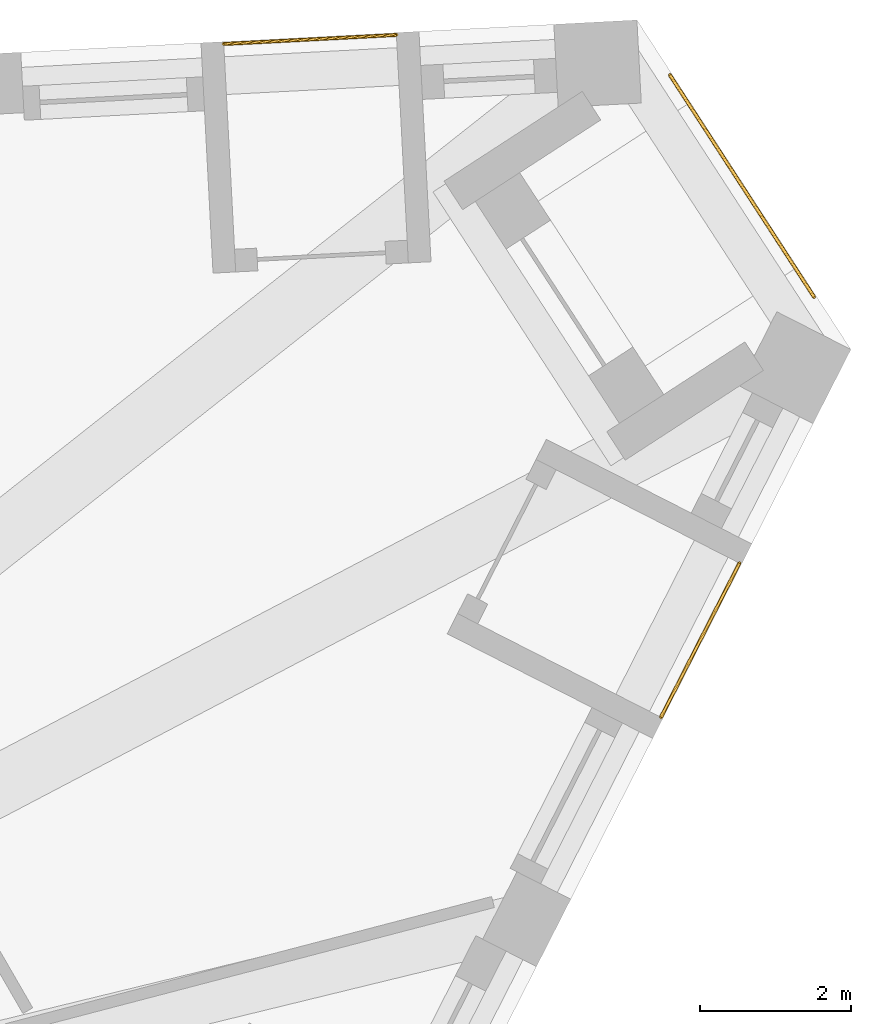
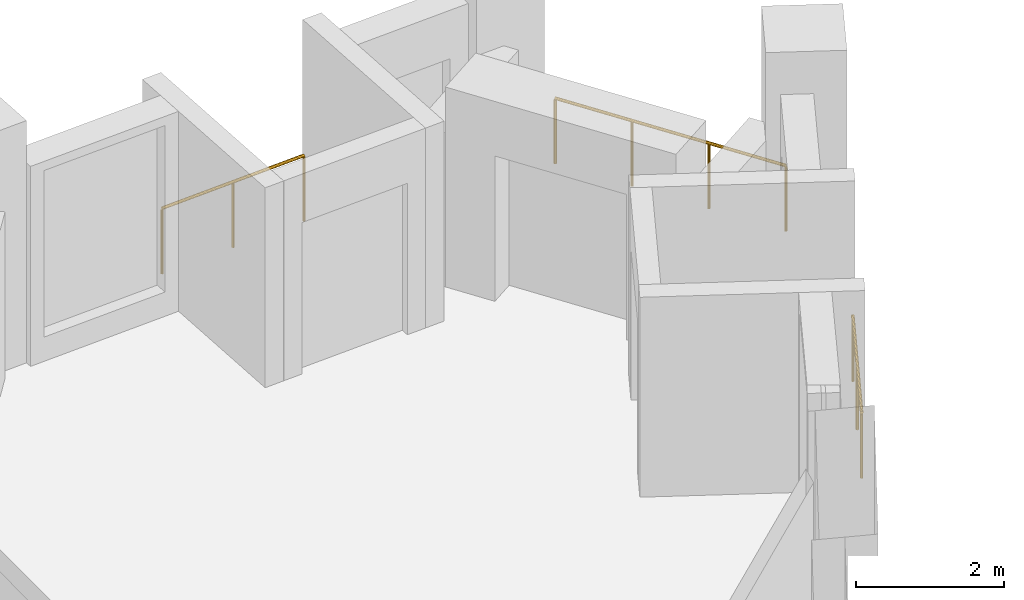
# One storey, part 12 of 12: 3 railings.
"""IFC4 building model written with IfcOpenShell, lengths in metres."""

from ifc_helpers import new_model, si_unit, direction, frame, origin, origin_2d, place, context, subcontext, project, spatial, circle, extrude, material, type_object, element, save


model = new_model("IFC4")

# Units and contexts
model_context = context("Model", 3, precision=1e-05, world=origin(), true_north=direction((0.0, 1.0)))
body_context = subcontext(model_context, "Body", "Model", "MODEL_VIEW")
ifc_project = project(units=[si_unit("LENGTHUNIT", "METRE"), si_unit("AREAUNIT", "SQUARE_METRE"), si_unit("VOLUMEUNIT", "CUBIC_METRE"), si_unit("PLANEANGLEUNIT", "RADIAN"), si_unit("MASSUNIT", "GRAM", prefix="KILO")], contexts=[model_context])

# Site, building, storey
site_placement = place(None, origin())
site = spatial("IfcSite", under=ifc_project, at=site_placement, CompositionType="ELEMENT")
building_placement = place(site_placement, origin())
building = spatial("IfcBuilding", under=site, at=building_placement, Name="Tramontana Tower", CompositionType="ELEMENT")
storey_placement = place(building_placement, frame((0.0, 0.0, 282.39990234375)))
storey = spatial("IfcBuildingStorey", under=building, at=storey_placement, Name="L66", CompositionType="ELEMENT", Elevation=282.39990234375)

# Railings
ifc_material = material(Name="Laminated glass balustrade", Category="glass")
railing_type = type_object("IfcRailingType", Name="GD1 Loggia glass balustrade 1100", PredefinedType="BALUSTRADE", material=ifc_material)
railing_1_placement = place(storey_placement, frame((21.128173828125, 7.390625, 0.0)))
element("IfcRailing", 1, at=railing_1_placement, inside=storey, type_object=railing_type, Name="Loggia balustrade L66 G7S1.13", PredefinedType="BALUSTRADE", context=body_context, shape_type="SweptSolid", body=[
    extrude(circle(Radius=0.02392578125, at=origin_2d()), frame((0.0, 0.0, 1.076171875), z_axis=(0.453948171533, 0.89102809022, 0.0), x_axis=(-0.89102809022, 0.453948171533, 0.0)), (0.0, 0.0, 1.0), 2.286865234375),
    extrude(circle(Radius=0.02099609375, at=origin_2d()), origin(), (0.0, 0.0, 1.0), 1.052001953125),
    extrude(circle(Radius=0.02099609375, at=origin_2d()), frame((0.51904296875, 1.018798828125, 0.0)), (0.0, 0.0, 1.0), 1.052001953125),
    extrude(circle(Radius=0.02099609375, at=origin_2d()), frame((1.0380859375, 2.03759765625, 0.0)), (0.0, 0.0, 1.0), 1.052001953125),
])
railing_2_placement = place(storey_placement, frame((17.62890625, 16.4150390625, 0.0)))
element("IfcRailing", 2, at=railing_2_placement, inside=storey, type_object=railing_type, Name="Loggia balustrade L66 G7S2.1", PredefinedType="BALUSTRADE", context=body_context, shape_type="SweptSolid", body=[
    extrude(circle(Radius=0.02392578125, at=origin_2d()), frame((0.0, 0.0, 1.076171875), z_axis=(-0.998630775221, -0.052312281362, 0.0), x_axis=(0.052312281362, -0.998630775221, 0.0)), (0.0, 0.0, 1.0), 2.286865234375),
    extrude(circle(Radius=0.02099609375, at=origin_2d()), origin(), (0.0, 0.0, 1.0), 1.052001953125),
    extrude(circle(Radius=0.02099609375, at=origin_2d()), frame((-1.141845703125, -0.059814453125, 0.0)), (0.0, 0.0, 1.0), 1.052001953125),
    extrude(circle(Radius=0.02099609375, at=origin_2d()), frame((-2.28369140625, -0.11962890625, 0.0)), (0.0, 0.0, 1.0), 1.052001953125),
])
railing_3_placement = place(storey_placement, frame((21.24658203125, 15.88427734375, 0.0)))
element("IfcRailing", 3, at=railing_3_placement, inside=storey, type_object=railing_type, Name="Corner loggia balustrade L66 K72", PredefinedType="BALUSTRADE", context=body_context, shape_type="SweptSolid", body=[
    extrude(circle(Radius=0.02392578125, at=origin_2d()), frame((0.0, 0.0, 1.076171875), z_axis=(0.544647498784, -0.838665071449, 0.0), x_axis=(0.838665071449, 0.544647498784, 0.0)), (0.0, 0.0, 1.0), 3.5),
    extrude(circle(Radius=0.02099609375, at=origin_2d()), origin(), (0.0, 0.0, 1.0), 1.052001953125),
    extrude(circle(Radius=0.02099609375, at=origin_2d()), frame((0.635498046875, -0.978515625, 0.0)), (0.0, 0.0, 1.0), 1.052001953125),
    extrude(circle(Radius=0.02099609375, at=origin_2d()), frame((1.270751953125, -1.956787109375, 0.0)), (0.0, 0.0, 1.0), 1.052001953125),
    extrude(circle(Radius=0.02099609375, at=origin_2d()), frame((1.90625, -2.935302734375, 0.0)), (0.0, 0.0, 1.0), 1.052001953125),
])

save(model, "model.ifc")
